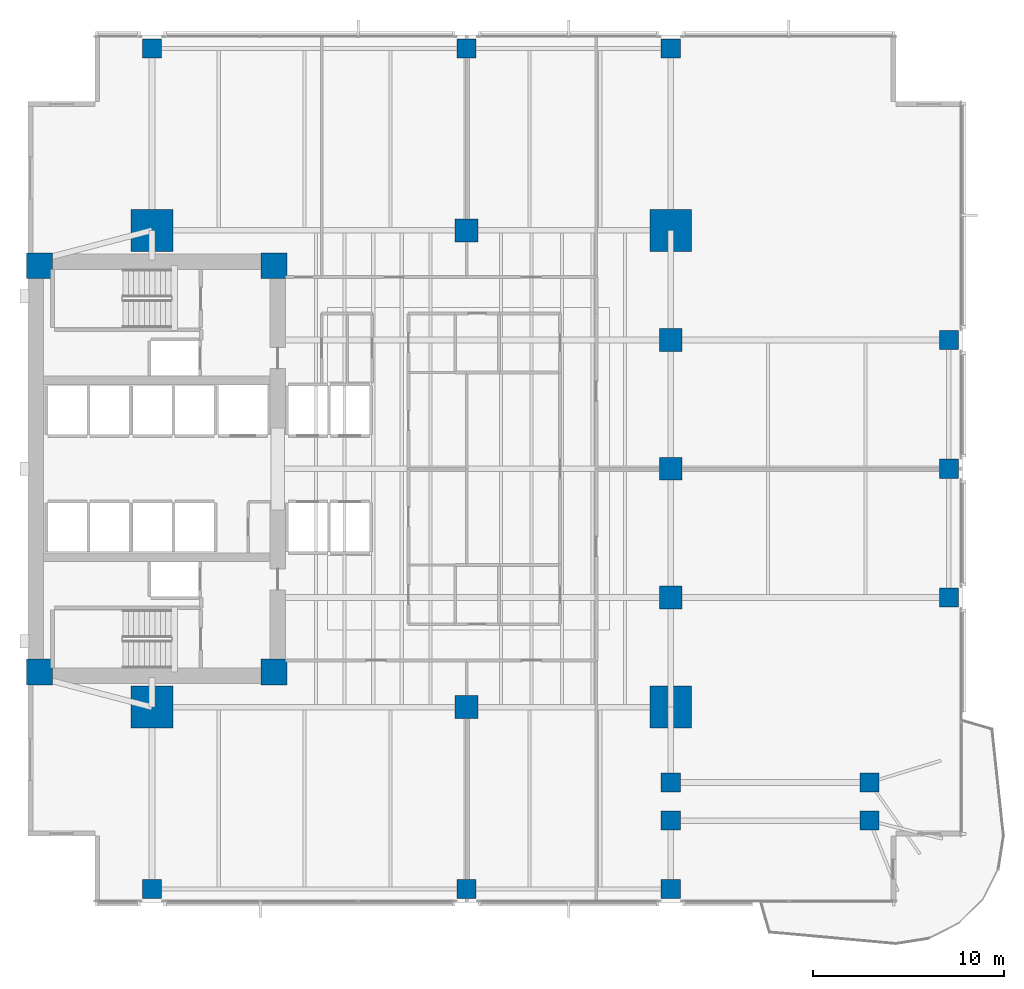
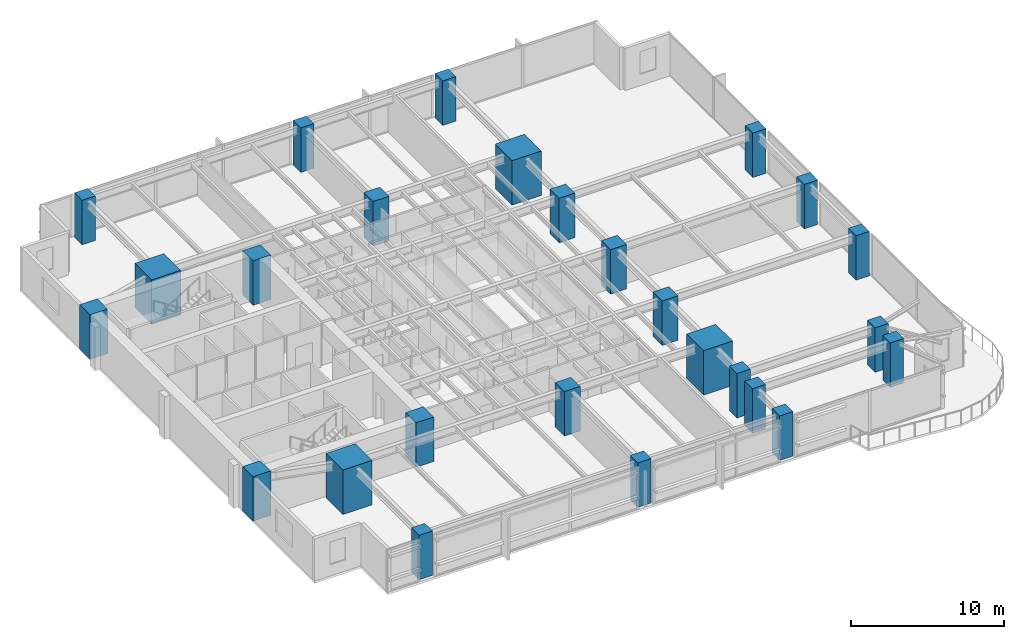
# One storey, part 1 of 15: 26 columns.
"""IFC4 building model written with IfcOpenShell, lengths in metres."""

import ifcopenshell
import ifcopenshell.guid

model = None  # the IFC model being written
_history = None  # IfcOwnerHistory: only IFC2X3 demands one
_inside = {}  # id of a spatial element -> (the spatial element, [elements in it])
_under = {}  # id of a project, library or spatial element -> (it, [spatial elements below it])
_declared = {}  # id of a project -> (the project, [libraries it declares])
_typed = {}  # id of a type object -> (the type object, [elements of that type])
_made_of = {}  # id of a material, layer set ... -> (it, [elements and type objects made of it])


def new_model(schema):
    """Start an empty IFC model of exactly this schema.

    Asked for "IFC4X3", IfcOpenShell would pick the latest addendum, in which some entities
    have other attributes; the version numbers below select the first issue.
    IFC2X3 requires an IfcOwnerHistory on every rooted entity: one is made here for all.
    """
    global model, _history
    if schema == "IFC4X3":
        model = ifcopenshell.file(schema_version=(4, 3, 0, 0))
    else:
        model = ifcopenshell.file(schema=schema)
    _inside.clear()
    _under.clear()
    _declared.clear()
    _typed.clear()
    _made_of.clear()
    _history = None
    if model.schema == "IFC2X3":
        org = make("IfcOrganization", Name="unknown")
        user = make(
            "IfcPersonAndOrganization",
            ThePerson=make("IfcPerson", FamilyName="unknown"),
            TheOrganization=org,
        )
        app = make(
            "IfcApplication",
            ApplicationDeveloper=org,
            Version="unknown",
            ApplicationFullName="unknown",
            ApplicationIdentifier="unknown",
        )
        _history = make(
            "IfcOwnerHistory",
            OwningUser=user,
            OwningApplication=app,
            ChangeAction="ADDED",
            CreationDate=0,
        )
    return model


def make(cls, **values):
    """One entity of the class cls with the attributes given. An attribute that is None is left unset."""
    return model.create_entity(
        cls, **{name: value for name, value in values.items() if value is not None}
    )


def rooted(cls, **values):
    """An entity with a GlobalId (a new one), such as an element, a storey or a relation."""
    return make(cls, GlobalId=ifcopenshell.guid.new(), OwnerHistory=_history, **values)


def si_unit(unit_type, name, prefix=None):
    """IfcSIUnit, for example si_unit("LENGTHUNIT", "METRE", prefix="MILLI")."""
    return make("IfcSIUnit", UnitType=unit_type, Prefix=prefix, Name=name)


def assignment(units):
    """IfcUnitAssignment: the units of a project."""
    return None if units is None else make("IfcUnitAssignment", Units=units)


def point(xyz):
    """IfcCartesianPoint."""
    return None if xyz is None else make("IfcCartesianPoint", Coordinates=xyz)


def direction(xyz):
    """IfcDirection."""
    return None if xyz is None else make("IfcDirection", DirectionRatios=xyz)


def frame(location, z_axis=None, x_axis=None):
    """IfcAxis2Placement3D, a coordinate frame: its origin and axes. An axis left out is left unset."""
    return make(
        "IfcAxis2Placement3D",
        Location=point(location),
        Axis=direction(z_axis),
        RefDirection=direction(x_axis),
    )


def frame_2d(location, x_axis=None):
    """IfcAxis2Placement2D, a coordinate frame in the plane: its origin and x axis."""
    return make(
        "IfcAxis2Placement2D", Location=point(location), RefDirection=direction(x_axis)
    )


def origin():
    """The frame at (0, 0, 0) with its axes left unset."""
    return frame((0.0, 0.0, 0.0))


def origin_2d():
    """The frame at (0, 0) in the plane with its x axis left unset."""
    return frame_2d((0.0, 0.0))


def place(relative_to, where):
    """IfcLocalPlacement: puts the frame where relative to a parent placement (None: the world)."""
    return make(
        "IfcLocalPlacement", PlacementRelTo=relative_to, RelativePlacement=where
    )


def context(
    kind, dimensions, precision=None, world=None, true_north=None, identifier=None
):
    """IfcGeometricRepresentationContext, for example the 3D "Model" context."""
    return make(
        "IfcGeometricRepresentationContext",
        ContextIdentifier=identifier,
        ContextType=kind,
        CoordinateSpaceDimension=dimensions,
        Precision=precision,
        WorldCoordinateSystem=world,
        TrueNorth=true_north,
    )


def subcontext(parent, identifier, kind, view, scale=None):
    """IfcGeometricRepresentationSubContext, for example "Body" below "Model"."""
    return make(
        "IfcGeometricRepresentationSubContext",
        ContextIdentifier=identifier,
        ContextType=kind,
        ParentContext=parent,
        TargetScale=scale,
        TargetView=view,
    )


def project(units=None, contexts=None):
    """IfcProject with its units and contexts."""
    return rooted(
        "IfcProject",
        Name="project",
        RepresentationContexts=contexts,
        UnitsInContext=assignment(units),
    )


def spatial(cls, under=None, at=None, **own):
    """A site, building, storey or space (cls), placed at a placement, below another one or the project."""
    s = rooted(cls, ObjectPlacement=at, **own)
    if under is not None:
        _under.setdefault(under.id(), (under, []))[1].append(s)
    return s


def profile(cls, at=None, kind="AREA", **sizes):
    """A parametric profile (cls). Its sizes go by their IFC names, for example OverallWidth=200.0."""
    return make(cls, ProfileType=kind, Position=at, **sizes)


def rectangle(**sizes):
    """IfcRectangleProfileDef."""
    return profile("IfcRectangleProfileDef", **sizes)


def extrude(swept, where, along, depth):
    """IfcExtrudedAreaSolid: the profile swept, set in the frame where, extruded along a direction by depth."""
    return make(
        "IfcExtrudedAreaSolid",
        SweptArea=swept,
        Position=where,
        ExtrudedDirection=direction(along),
        Depth=depth,
    )


def shape(context_of_items, identifier, shape_type, items):
    """IfcShapeRepresentation: the items that make up one representation, for example the "Body"."""
    return make(
        "IfcShapeRepresentation",
        ContextOfItems=context_of_items,
        RepresentationIdentifier=identifier,
        RepresentationType=shape_type,
        Items=items,
    )


def material(Name=None, Category=None):
    """IfcMaterial."""
    return make("IfcMaterial", Name=Name, Category=Category)


def material_profile(
    of_material, cross_section, Name=None, Category=None, Priority=None
):
    """IfcMaterialProfile: a cross section and its material."""
    return make(
        "IfcMaterialProfile",
        Name=Name,
        Material=of_material,
        Profile=cross_section,
        Priority=Priority,
        Category=Category,
    )


def profile_set(profiles, Name=None, composite=None):
    """IfcMaterialProfileSet."""
    return make(
        "IfcMaterialProfileSet",
        Name=Name,
        MaterialProfiles=profiles,
        CompositeProfile=composite,
    )


def made_of(thing, what):
    """Note that an element or type object is made of a material, layer set ...; save() writes the relation."""
    if what is not None:
        _made_of.setdefault(what.id(), (what, []))[1].append(thing)
    return thing


def type_object(cls, material=None, **own):
    """A type object (cls), such as IfcWallType, which elements share."""
    return made_of(rooted(cls, **own), material)


def element(
    cls,
    number,
    at=None,
    inside=None,
    cuts=None,
    type_object=None,
    material=None,
    context=None,
    identifier="Body",
    shape_type=None,
    held_by="IfcProductDefinitionShape",
    body=None,
    shapes=None,
    **own,
):
    """One element of the class cls, such as IfcWall. Its Tag is "e" and its number.

    at: its placement. inside: the storey or other place that contains it. cuts: it is an
    opening in that element (IfcRelVoidsElement). A single representation is given by context,
    identifier, shape_type and body (its items); several are given by shapes. held_by: the class
    of the entity that holds the representations. save() writes the other relations.
    """
    e = rooted(cls, Tag="e%d" % number, ObjectPlacement=at, **own)
    if body is not None:
        shapes = [shape(context, identifier, shape_type, body)]
    if shapes is not None:
        e.Representation = make(held_by, Representations=shapes)
    if inside is not None:
        _inside.setdefault(inside.id(), (inside, []))[1].append(e)
    if cuts is not None:
        rooted(
            "IfcRelVoidsElement", RelatingBuildingElement=cuts, RelatedOpeningElement=e
        )
    if type_object is not None:
        _typed.setdefault(type_object.id(), (type_object, []))[1].append(e)
    return made_of(e, material)


def aggregate(whole, parts):
    """IfcRelAggregates: a whole, such as a stair, and the parts it consists of."""
    return rooted("IfcRelAggregates", RelatingObject=whole, RelatedObjects=parts)


def save(model, path):
    """Write the relations noted so far, then the file.

    IfcRelAggregates (storeys below a building ...), IfcRelContainedInSpatialStructure (elements
    in a storey), IfcRelDefinesByType, IfcRelAssociatesMaterial and IfcRelDeclares: one each for
    every whole, place, type object, material and project.
    """
    for whole, parts in _under.values():
        aggregate(whole, parts)
    for where, things in _inside.values():
        rooted(
            "IfcRelContainedInSpatialStructure",
            RelatedElements=things,
            RelatingStructure=where,
        )
    for kind, things in _typed.values():
        rooted("IfcRelDefinesByType", RelatedObjects=things, RelatingType=kind)
    for what, things in _made_of.values():
        rooted("IfcRelAssociatesMaterial", RelatedObjects=things, RelatingMaterial=what)
    for by, libraries in _declared.values():
        rooted("IfcRelDeclares", RelatingContext=by, RelatedDefinitions=libraries)
    model.write(path)


model = new_model("IFC4")

# Units and contexts
model_context = context("Model", 3, precision=1e-05, world=origin(), true_north=direction((0.0, 1.0)))
body_context = subcontext(model_context, "Body", "Model", "MODEL_VIEW")
ifc_project = project(units=[si_unit("LENGTHUNIT", "METRE"), si_unit("AREAUNIT", "SQUARE_METRE"), si_unit("VOLUMEUNIT", "CUBIC_METRE"), si_unit("PLANEANGLEUNIT", "RADIAN"), si_unit("MASSUNIT", "GRAM", prefix="KILO")], contexts=[model_context])

# Site, building, storey
site_placement = place(None, origin())
site = spatial("IfcSite", under=ifc_project, at=site_placement, CompositionType="ELEMENT")
building_placement = place(site_placement, origin())
building = spatial("IfcBuilding", under=site, at=building_placement, Name="Kinhvarn Gate Tower", CompositionType="ELEMENT")
storey_placement = place(building_placement, frame((0.0, 0.0, 36.25)))
storey = spatial("IfcBuildingStorey", under=building, at=storey_placement, Name="L08", CompositionType="ELEMENT", Elevation=36.25)

# Columns
ifc_material_1 = material(Name="Concrete C70/85", Category="concrete")
ifc_material_profile_1 = material_profile(ifc_material_1, rectangle(XDim=2.199951171875, YDim=2.199951171875, at=origin_2d()), Name="RC 2200x2200")
ifc_profile_set_1 = profile_set([ifc_material_profile_1], Name="Concrete C70/85")
column_type_1 = type_object("IfcColumnType", Name="COL-MC-2200", PredefinedType="COLUMN", material=ifc_profile_set_1)
for number, where, z_axis, x_axis, name in (
    (1, (11.0, 12.75, 0.0), (0.0, 0.0, 1.0), (1.0, 0.0, 0.0), "Column MC1-L08 (MC-22)"),
    (2, (11.0, 37.75, 0.0), (0.0, 0.0, 1.0), (1.0, 0.0, 0.0), "Column MC4-L08 (MC-22)"),
    (3, (38.199951171875, 12.75, 0.0), (0.0, 0.0, 1.0), (1.0, 0.0, 0.0), "Column MC2-L08 (MC-22)"),
    (4, (38.199951171875, 37.75, 0.0), (0.0, 0.0, 1.0), (1.0, 0.0, 0.0), "Column MC3-L08 (MC-22)"),
):
    element("IfcColumn", number, at=place(storey_placement, frame(where, z_axis=z_axis, x_axis=x_axis)), inside=storey, type_object=column_type_1, Name=name, PredefinedType="COLUMN", context=body_context, shape_type="SweptSolid", body=[
        extrude(rectangle(XDim=2.199951171875, YDim=2.199951171875, at=origin_2d()), origin(), (0.0, 0.0, 1.0), 3.550048828125),
    ])
ifc_material_2 = material(Name="Concrete C60/75", Category="concrete")
ifc_material_profile_2 = material_profile(ifc_material_2, rectangle(XDim=1.0, YDim=1.0, at=origin_2d()), Name="RC 1000x1000")
ifc_profile_set_2 = profile_set([ifc_material_profile_2], Name="Concrete C60/75")
column_type_2 = type_object("IfcColumnType", Name="COL-RC-1000", PredefinedType="COLUMN", material=ifc_profile_set_2)
for number, where, z_axis, x_axis, name in (
    (5, (48.6201171875, 6.800048828125, 0.0), (0.0, 0.0, 1.0), (1.0, 0.0, 0.0), "Column CS-SE1-L08 (C-100)"),
    (6, (38.199951171875, 6.800048828125, 0.0), (0.0, 0.0, 1.0), (1.0, 0.0, 0.0), "Column CS-ANC68-L08 (C-100)"),
    (7, (38.199951171875, 8.800048828125, 0.0), (0.0, 0.0, 1.0), (1.0, 0.0, 0.0), "Column CS-ANC88-L08 (C-100)"),
    (8, (48.6201171875, 8.800048828125, 0.0), (0.0, 0.0, 1.0), (1.0, 0.0, 0.0), "Column CS-SE1B-L08 (C-100)"),
    (9, (52.780029296875, 18.5, 0.0), (0.0, 0.0, 1.0), (1.0, 0.0, 0.0), "Column CE-1-L08 (C-100)"),
    (10, (52.780029296875, 25.25, 0.0), (0.0, 0.0, 1.0), (1.0, 0.0, 0.0), "Column CE-2-L08 (C-100)"),
    (11, (52.780029296875, 32.0, 0.0), (0.0, 0.0, 1.0), (1.0, 0.0, 0.0), "Column CE-3-L08 (C-100)"),
    (12, (11.0, 3.219970703125, 0.0), (0.0, 0.0, 1.0), (1.0, 0.0, 0.0), "Column CS-0-L08 (C-100)"),
    (13, (27.5, 3.219970703125, 0.0), (0.0, 0.0, 1.0), (1.0, 0.0, 0.0), "Column CS-1-L08 (C-100)"),
    (14, (38.199951171875, 3.219970703125, 0.0), (0.0, 0.0, 1.0), (1.0, 0.0, 0.0), "Column CS-2-L08 (C-100)"),
    (15, (11.0, 47.280029296875, 0.0), (0.0, 0.0, 1.0), (1.0, 0.0, 0.0), "Column CN-0-L08 (C-100)"),
    (16, (27.5, 47.280029296875, 0.0), (0.0, 0.0, 1.0), (1.0, 0.0, 0.0), "Column CN-1-L08 (C-100)"),
    (17, (38.199951171875, 47.280029296875, 0.0), (0.0, 0.0, 1.0), (1.0, 0.0, 0.0), "Column CN-2-L08 (C-100)"),
):
    element("IfcColumn", number, at=place(storey_placement, frame(where, z_axis=z_axis, x_axis=x_axis)), inside=storey, type_object=column_type_2, Name=name, PredefinedType="COLUMN", context=body_context, shape_type="SweptSolid", body=[
        extrude(rectangle(XDim=1.0, YDim=1.0, at=origin_2d()), origin(), (0.0, 0.0, 1.0), 3.550048828125),
    ])
ifc_material_profile_3 = material_profile(ifc_material_2, rectangle(XDim=1.199951171875, YDim=1.199951171875, at=origin_2d()), Name="RC 1200x1200")
ifc_profile_set_3 = profile_set([ifc_material_profile_3], Name="Concrete C60/75")
column_type_3 = type_object("IfcColumnType", Name="COL-RC-1200", PredefinedType="COLUMN", material=ifc_profile_set_3)
for number, where, z_axis, x_axis, name in (
    (18, (27.5, 12.75, 0.0), (0.0, 0.0, 1.0), (1.0, 0.0, 0.0), "Column SP27-S-L08 (C-120)"),
    (19, (27.5, 37.75, 0.0), (0.0, 0.0, 1.0), (1.0, 0.0, 0.0), "Column SP27-N-L08 (C-120)"),
    (20, (38.199951171875, 18.5, 0.0), (0.0, 0.0, 1.0), (1.0, 0.0, 0.0), "Column SP38-E1-L08 (C-120)"),
    (21, (38.199951171875, 25.25, 0.0), (0.0, 0.0, 1.0), (1.0, 0.0, 0.0), "Column SP38-E2-L08 (C-120)"),
    (22, (38.199951171875, 32.0, 0.0), (0.0, 0.0, 1.0), (1.0, 0.0, 0.0), "Column SP38-E3-L08 (C-120)"),
):
    element("IfcColumn", number, at=place(storey_placement, frame(where, z_axis=z_axis, x_axis=x_axis)), inside=storey, type_object=column_type_3, Name=name, PredefinedType="COLUMN", context=body_context, shape_type="SweptSolid", body=[
        extrude(rectangle(XDim=1.199951171875, YDim=1.199951171875, at=origin_2d()), origin(), (0.0, 0.0, 1.0), 3.550048828125),
    ])
ifc_material_profile_4 = material_profile(ifc_material_1, rectangle(XDim=1.35009765625, YDim=1.35009765625, at=origin_2d()), Name="RC 1350x1350")
ifc_profile_set_4 = profile_set([ifc_material_profile_4], Name="Concrete C70/85")
column_type_4 = type_object("IfcColumnType", Name="PIL-RC-1350", PredefinedType="PILASTER", material=ifc_profile_set_4)
for number, where, z_axis, x_axis, name in (
    (23, (5.10009765625, 14.60009765625, 0.0), (0.0, 0.0, 1.0), (1.0, 0.0, 0.0), "Column CC-SW-L08 (CP-135)"),
    (24, (5.10009765625, 35.89990234375, 0.0), (0.0, 0.0, 1.0), (1.0, 0.0, 0.0), "Column CC-NW-L08 (CP-135)"),
    (25, (17.39990234375, 14.60009765625, 0.0), (0.0, 0.0, 1.0), (1.0, 0.0, 0.0), "Column CC-SE-L08 (CP-135)"),
    (26, (17.39990234375, 35.89990234375, 0.0), (0.0, 0.0, 1.0), (1.0, 0.0, 0.0), "Column CC-NE-L08 (CP-135)"),
):
    element("IfcColumn", number, at=place(storey_placement, frame(where, z_axis=z_axis, x_axis=x_axis)), inside=storey, type_object=column_type_4, Name=name, PredefinedType="PILASTER", context=body_context, shape_type="SweptSolid", body=[
        extrude(rectangle(XDim=1.35009765625, YDim=1.35009765625, at=origin_2d()), origin(), (0.0, 0.0, 1.0), 3.550048828125),
    ])

save(model, "model.ifc")
